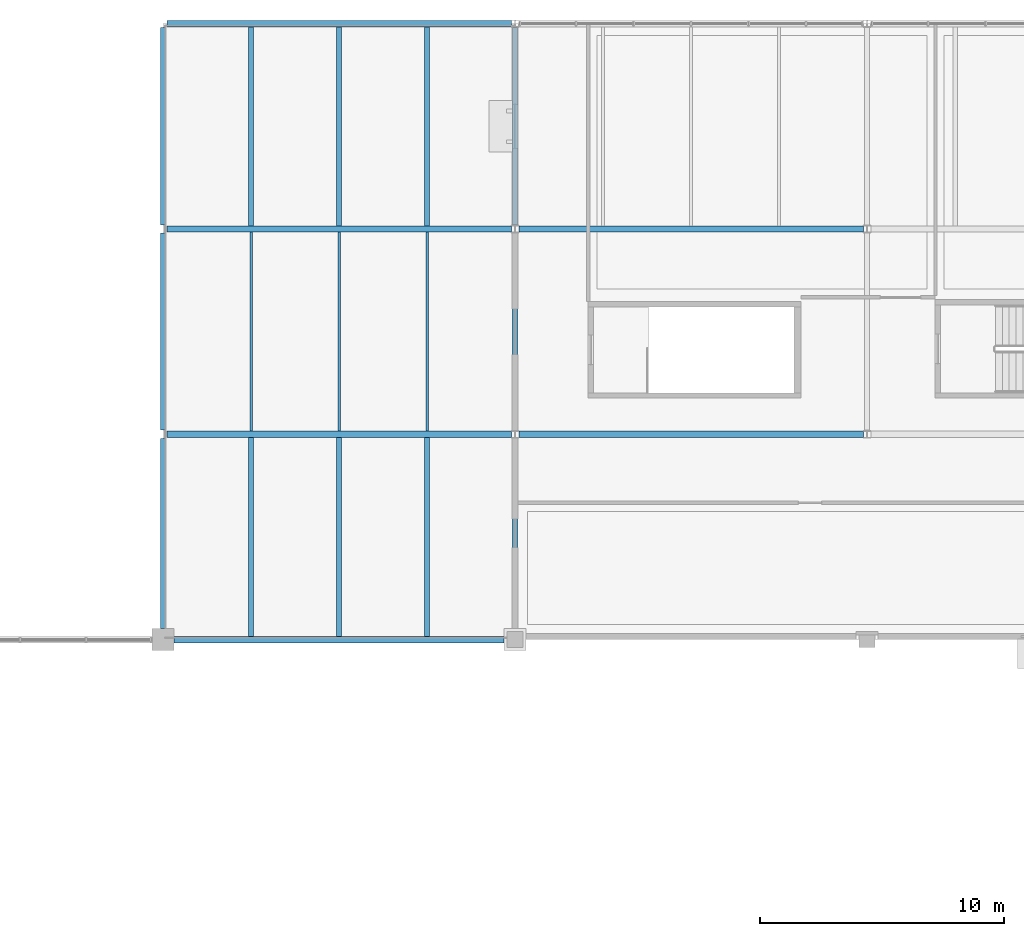
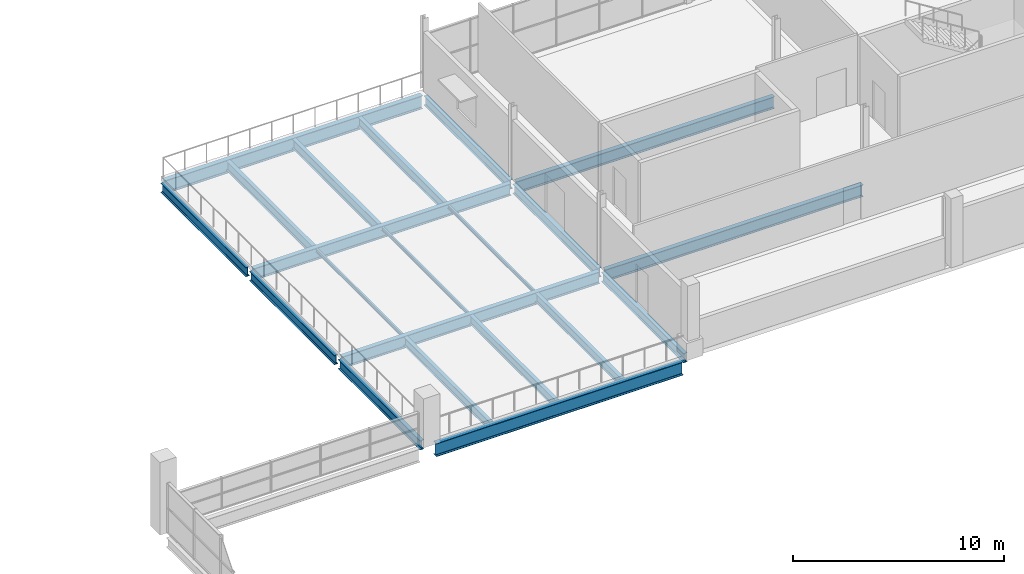
# One storey, part 30 of 68: 21 beams.
"""IFC4 building model written with IfcOpenShell, lengths in metres."""

from ifc_helpers import new_model, si_unit, direction, frame, origin, origin_2d, place, context, subcontext, project, spatial, i_section, extrude, material, material_profile, profile_set, type_object, element, save


model = new_model("IFC4")

# Units and contexts
model_context = context("Model", 3, precision=1e-05, world=origin(), true_north=direction((0.0, 1.0)))
body_context = subcontext(model_context, "Body", "Model", "MODEL_VIEW")
ifc_project = project(units=[si_unit("LENGTHUNIT", "METRE"), si_unit("AREAUNIT", "SQUARE_METRE"), si_unit("VOLUMEUNIT", "CUBIC_METRE"), si_unit("PLANEANGLEUNIT", "RADIAN"), si_unit("MASSUNIT", "GRAM", prefix="KILO"), si_unit("THERMODYNAMICTEMPERATUREUNIT", "KELVIN")], contexts=[model_context])

# Site, building, storey
site_placement = place(None, origin())
site = spatial("IfcSite", under=ifc_project, at=site_placement, CompositionType="ELEMENT")
building_placement = place(site_placement, origin())
building = spatial("IfcBuilding", under=site, at=building_placement, Name="Nduvali Passage Aquatics Centre", CompositionType="ELEMENT")
storey_placement = place(building_placement, frame((0.0, 0.0, 13.199951171875)))
storey = spatial("IfcBuildingStorey", under=building, at=storey_placement, Name="L03", CompositionType="ELEMENT", Elevation=13.199951171875)

# Beams
ifc_material = material(Name="Steel S355", Category="steel")
ifc_material_profile_1 = material_profile(ifc_material, i_section(OverallWidth=0.210693359375, OverallDepth=0.53955078125, WebThickness=0.01171875, FlangeThickness=0.018798828125, FilletRadius=0.0126953125, at=origin_2d()), Name="UKB 533x210x109")
ifc_profile_set_1 = profile_set([ifc_material_profile_1], Name="Steel S355")
beam_type_1 = type_object("IfcBeamType", Name="STR-BM-UKB533", PredefinedType="BEAM", material=ifc_profile_set_1)
beam_1_placement = place(storey_placement, frame((54.0, 92.85009765625, -0.523681640625), z_axis=(0.0, 1.0, 0.0), x_axis=(-1.0, 0.0, 0.0)))
element("IfcBeam", 1, at=beam_1_placement, inside=storey, type_object=beam_type_1, Name="L03 Primary Y-Girder B6-1260", PredefinedType="BEAM", context=body_context, shape_type="SweptSolid", body=[
    extrude(i_section(OverallWidth=0.210693359375, OverallDepth=0.53955078125, WebThickness=0.01171875, FlangeThickness=0.018798828125, FilletRadius=0.0126953125, at=origin_2d()), origin(), (0.0, 0.0, 1.0), 7.77490234375),
])
beam_2_placement = place(storey_placement, frame((54.0, 100.97509765625, -0.523681640625), z_axis=(0.0, 1.0, 0.0), x_axis=(-1.0, 0.0, 0.0)))
element("IfcBeam", 2, at=beam_2_placement, inside=storey, type_object=beam_type_1, Name="L03 Primary Y-Girder B6-1261", PredefinedType="BEAM", context=body_context, shape_type="SweptSolid", body=[
    extrude(i_section(OverallWidth=0.210693359375, OverallDepth=0.53955078125, WebThickness=0.01171875, FlangeThickness=0.018798828125, FilletRadius=0.0126953125, at=origin_2d()), origin(), (0.0, 0.0, 1.0), 8.054931640625),
])
beam_3_placement = place(storey_placement, frame((54.0, 109.3701171875, -0.523681640625), z_axis=(0.0, 1.0, 0.0), x_axis=(-1.0, 0.0, 0.0)))
element("IfcBeam", 3, at=beam_3_placement, inside=storey, type_object=beam_type_1, Name="L03 Primary Y-Girder B6-1262", PredefinedType="BEAM", context=body_context, shape_type="SweptSolid", body=[
    extrude(i_section(OverallWidth=0.210693359375, OverallDepth=0.53955078125, WebThickness=0.01171875, FlangeThickness=0.018798828125, FilletRadius=0.0126953125, at=origin_2d()), origin(), (0.0, 0.0, 1.0), 8.06982421875),
])
ifc_material_profile_2 = material_profile(ifc_material, i_section(OverallWidth=0.210693359375, OverallDepth=0.53955078125, WebThickness=0.01171875, FlangeThickness=0.018798828125, FilletRadius=0.0126953125, at=origin_2d()), Name="UKB 533x210x109")
ifc_profile_set_2 = profile_set([ifc_material_profile_2], Name="Steel S355")
beam_type_2 = type_object("IfcBeamType", Name="STR-BM-UKB533-EXT", PredefinedType="BEAM", material=ifc_profile_set_2)
beam_4_placement = place(storey_placement, frame((39.60009765625, 92.85009765625, -0.523681640625), z_axis=(0.0, 1.0, 0.0), x_axis=(-1.0, 0.0, 0.0)))
element("IfcBeam", 4, at=beam_4_placement, inside=storey, type_object=beam_type_2, Name="L03 Primary Y-Girder B6E-1257", PredefinedType="BEAM", context=body_context, shape_type="SweptSolid", body=[
    extrude(i_section(OverallWidth=0.210693359375, OverallDepth=0.53955078125, WebThickness=0.01171875, FlangeThickness=0.018798828125, FilletRadius=0.0126953125, at=origin_2d()), origin(), (0.0, 0.0, 1.0), 7.77490234375),
])
beam_5_placement = place(storey_placement, frame((39.60009765625, 100.97509765625, -0.523681640625), z_axis=(0.0, 1.0, 0.0), x_axis=(-1.0, 0.0, 0.0)))
element("IfcBeam", 5, at=beam_5_placement, inside=storey, type_object=beam_type_2, Name="L03 Primary Y-Girder B6E-1258", PredefinedType="BEAM", context=body_context, shape_type="SweptSolid", body=[
    extrude(i_section(OverallWidth=0.210693359375, OverallDepth=0.53955078125, WebThickness=0.01171875, FlangeThickness=0.018798828125, FilletRadius=0.0126953125, at=origin_2d()), origin(), (0.0, 0.0, 1.0), 8.054931640625),
])
beam_6_placement = place(storey_placement, frame((39.60009765625, 109.3701171875, -0.523681640625), z_axis=(0.0, 1.0, 0.0), x_axis=(-1.0, 0.0, 0.0)))
element("IfcBeam", 6, at=beam_6_placement, inside=storey, type_object=beam_type_2, Name="L03 Primary Y-Girder B6E-1259", PredefinedType="BEAM", context=body_context, shape_type="SweptSolid", body=[
    extrude(i_section(OverallWidth=0.210693359375, OverallDepth=0.53955078125, WebThickness=0.01171875, FlangeThickness=0.018798828125, FilletRadius=0.0126953125, at=origin_2d()), origin(), (0.0, 0.0, 1.0), 8.06982421875),
])
ifc_material_profile_3 = material_profile(ifc_material, i_section(OverallWidth=0.253662109375, OverallDepth=0.68359375, WebThickness=0.012451171875, FlangeThickness=0.01904296875, FilletRadius=0.01513671875, at=origin_2d()), Name="UKB 686x254x140")
ifc_profile_set_3 = profile_set([ifc_material_profile_3], Name="Steel S355")
beam_type_3 = type_object("IfcBeamType", Name="STR-BM-UKB686", PredefinedType="BEAM", material=ifc_profile_set_3)
for number, where, z_axis, x_axis, name in (
    (7, (39.75, 100.800048828125, -0.585693359375), (1.0, 0.0, 0.0), (0.0, 1.0, 0.0), "L03 Primary X-Girder B4-1221"),
    (8, (54.14990234375, 100.800048828125, -0.595703125), (1.0, 0.0, 0.0), (0.0, 1.0, 0.0), "L03 Primary X-Girder B4-1222"),
    (9, (39.75, 109.199951171875, -0.585693359375), (1.0, 0.0, 0.0), (0.0, 1.0, 0.0), "L03 Primary X-Girder B4-1227"),
    (10, (54.14990234375, 109.199951171875, -0.595703125), (1.0, 0.0, 0.0), (0.0, 1.0, 0.0), "L03 Primary X-Girder B4-1228"),
):
    element("IfcBeam", number, at=place(storey_placement, frame(where, z_axis=z_axis, x_axis=x_axis)), inside=storey, type_object=beam_type_3, Name=name, PredefinedType="BEAM", context=body_context, shape_type="SweptSolid", body=[
        extrude(i_section(OverallWidth=0.253662109375, OverallDepth=0.68359375, WebThickness=0.012451171875, FlangeThickness=0.01904296875, FilletRadius=0.01513671875, at=origin_2d()), origin(), (0.0, 0.0, 1.0), 14.10009765625),
    ])
ifc_material_profile_4 = material_profile(ifc_material, i_section(OverallWidth=0.2666015625, OverallDepth=0.76220703125, WebThickness=0.014404296875, FlangeThickness=0.021484375, FilletRadius=0.0166015625, at=origin_2d()), Name="UKB 762x267x173")
ifc_profile_set_4 = profile_set([ifc_material_profile_4], Name="Steel S355")
beam_type_4 = type_object("IfcBeamType", Name="STR-BM-UKB762-EXT", PredefinedType="BEAM", material=ifc_profile_set_4)
beam_7_placement = place(storey_placement, frame((40.050048828125, 92.39990234375, -0.635009765625), z_axis=(1.0, 0.0, 0.0), x_axis=(0.0, 1.0, 0.0)))
element("IfcBeam", 11, at=beam_7_placement, inside=storey, type_object=beam_type_4, Name="L03 Primary X-Girder B4CE-1218", PredefinedType="BEAM", context=body_context, shape_type="SweptSolid", body=[
    extrude(i_section(OverallWidth=0.2666015625, OverallDepth=0.76220703125, WebThickness=0.014404296875, FlangeThickness=0.021484375, FilletRadius=0.0166015625, at=origin_2d()), origin(), (0.0, 0.0, 1.0), 13.5),
])
beam_8_placement = place(storey_placement, frame((39.75, 117.60009765625, -0.625), z_axis=(1.0, 0.0, 0.0), x_axis=(0.0, 1.0, 0.0)))
element("IfcBeam", 12, at=beam_8_placement, inside=storey, type_object=beam_type_4, Name="L03 Primary X-Girder B4CE-1233", PredefinedType="BEAM", context=body_context, shape_type="SweptSolid", body=[
    extrude(i_section(OverallWidth=0.2666015625, OverallDepth=0.76220703125, WebThickness=0.014404296875, FlangeThickness=0.021484375, FilletRadius=0.0166015625, at=origin_2d()), origin(), (0.0, 0.0, 1.0), 14.10009765625),
])
ifc_material_profile_5 = material_profile(ifc_material, i_section(OverallWidth=0.10009765625, OverallDepth=0.199951171875, WebThickness=0.005615234375, FlangeThickness=0.008544921875, FilletRadius=0.011962890625, at=origin_2d()), Name="IPE 200")
ifc_profile_set_5 = profile_set([ifc_material_profile_5], Name="Steel S355")
beam_type_5 = type_object("IfcBeamType", Name="STR-JST-IPE200", PredefinedType="JOIST", material=ifc_profile_set_5)
for number, where, z_axis, x_axis, name in (
    (13, (43.199951171875, 100.9267578125, -0.343994140625), (0.0, 1.0, 0.0), (-1.0, 0.0, 0.0), "L03 Secondary Joist J9A-1296"),
    (14, (46.800048828125, 100.9267578125, -0.343994140625), (0.0, 1.0, 0.0), (-1.0, 0.0, 0.0), "L03 Secondary Joist J9A-1297"),
    (15, (50.39990234375, 100.9267578125, -0.343994140625), (0.0, 1.0, 0.0), (-1.0, 0.0, 0.0), "L03 Secondary Joist J9A-1298"),
):
    element("IfcBeam", number, at=place(storey_placement, frame(where, z_axis=z_axis, x_axis=x_axis)), inside=storey, type_object=beam_type_5, Name=name, PredefinedType="JOIST", context=body_context, shape_type="SweptSolid", body=[
        extrude(i_section(OverallWidth=0.10009765625, OverallDepth=0.199951171875, WebThickness=0.005615234375, FlangeThickness=0.008544921875, FilletRadius=0.011962890625, at=origin_2d()), origin(), (0.0, 0.0, 1.0), 8.146484375),
    ])
ifc_material_profile_6 = material_profile(ifc_material, i_section(OverallWidth=0.199951171875, OverallDepth=0.5, WebThickness=0.01025390625, FlangeThickness=0.01611328125, FilletRadius=0.02099609375, at=origin_2d()), Name="IPE 500")
ifc_profile_set_6 = profile_set([ifc_material_profile_6], Name="Steel S355")
beam_type_6 = type_object("IfcBeamType", Name="STR-JST-IPE500", PredefinedType="JOIST", material=ifc_profile_set_6)
for number, where, z_axis, x_axis, name in (
    (16, (43.199951171875, 92.533203125, -0.493896484375), (0.0, 1.0, 0.0), (-1.0, 0.0, 0.0), "L03 Secondary Joist J5A-1287"),
    (17, (46.800048828125, 92.533203125, -0.493896484375), (0.0, 1.0, 0.0), (-1.0, 0.0, 0.0), "L03 Secondary Joist J5A-1288"),
    (18, (50.39990234375, 92.533203125, -0.493896484375), (0.0, 1.0, 0.0), (-1.0, 0.0, 0.0), "L03 Secondary Joist J5A-1289"),
):
    element("IfcBeam", number, at=place(storey_placement, frame(where, z_axis=z_axis, x_axis=x_axis)), inside=storey, type_object=beam_type_6, Name=name, PredefinedType="JOIST", context=body_context, shape_type="SweptSolid", body=[
        extrude(i_section(OverallWidth=0.199951171875, OverallDepth=0.5, WebThickness=0.01025390625, FlangeThickness=0.01611328125, FilletRadius=0.02099609375, at=origin_2d()), origin(), (0.0, 0.0, 1.0), 8.139892578125),
    ])
ifc_material_profile_7 = material_profile(ifc_material, i_section(OverallWidth=0.2099609375, OverallDepth=0.550048828125, WebThickness=0.010986328125, FlangeThickness=0.01708984375, FilletRadius=0.02392578125, at=origin_2d()), Name="IPE 550")
ifc_profile_set_7 = profile_set([ifc_material_profile_7], Name="Steel S355")
beam_type_7 = type_object("IfcBeamType", Name="STR-JST-IPE550", PredefinedType="JOIST", material=ifc_profile_set_7)
for number, where, z_axis, x_axis, name in (
    (19, (43.199951171875, 109.326904296875, -0.51904296875), (0.0, 1.0, 0.0), (-1.0, 0.0, 0.0), "L03 Secondary Joist J5C-1303"),
    (20, (46.800048828125, 109.326904296875, -0.51904296875), (0.0, 1.0, 0.0), (-1.0, 0.0, 0.0), "L03 Secondary Joist J5C-1304"),
    (21, (50.39990234375, 109.326904296875, -0.51904296875), (0.0, 1.0, 0.0), (-1.0, 0.0, 0.0), "L03 Secondary Joist J5C-1305"),
):
    element("IfcBeam", number, at=place(storey_placement, frame(where, z_axis=z_axis, x_axis=x_axis)), inside=storey, type_object=beam_type_7, Name=name, PredefinedType="JOIST", context=body_context, shape_type="SweptSolid", body=[
        extrude(i_section(OverallWidth=0.2099609375, OverallDepth=0.550048828125, WebThickness=0.010986328125, FlangeThickness=0.01708984375, FilletRadius=0.02392578125, at=origin_2d()), origin(), (0.0, 0.0, 1.0), 8.139892578125),
    ])

save(model, "model.ifc")
